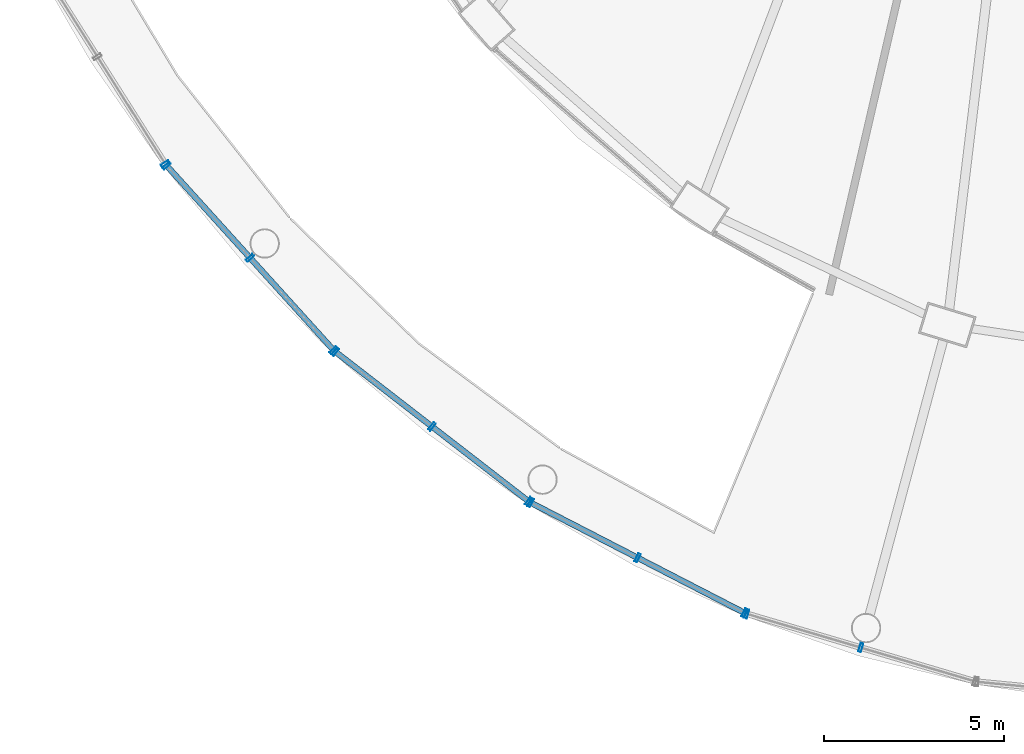
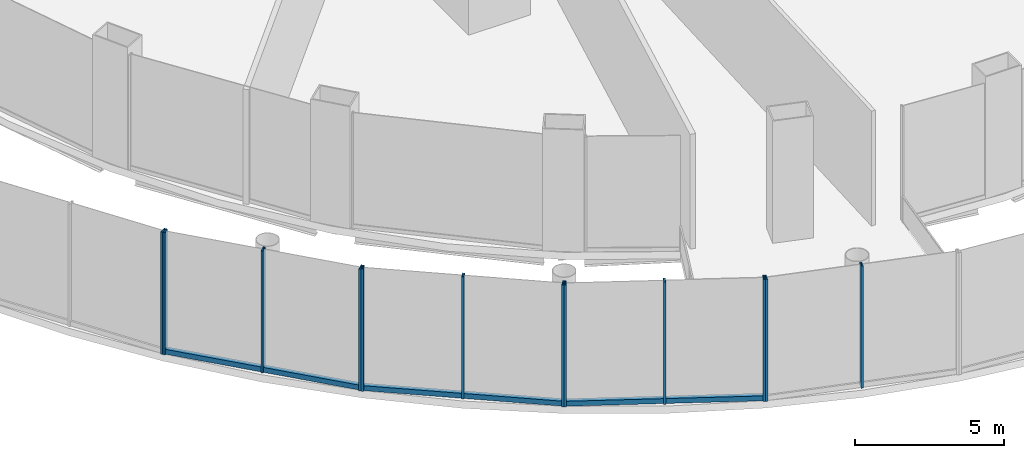
# One storey, part 3 of 47: 15 members, 5 elements without a shape of their own.
"""IFC4 building model written with IfcOpenShell, lengths in metres."""

from ifc_helpers import new_model, si_unit, direction, frame, origin, origin_2d, place, context, subcontext, project, spatial, hollow_rectangle, extrude, material, layer, layer_set, material_profile, profile_set, type_object, element, aggregate, save


model = new_model("IFC4")

# Units and contexts
model_context = context("Model", 3, precision=1e-05, world=origin(), true_north=direction((0.0, 1.0)))
body_context = subcontext(model_context, "Body", "Model", "MODEL_VIEW")
ifc_project = project(units=[si_unit("LENGTHUNIT", "METRE"), si_unit("AREAUNIT", "SQUARE_METRE"), si_unit("VOLUMEUNIT", "CUBIC_METRE"), si_unit("PLANEANGLEUNIT", "RADIAN"), si_unit("MASSUNIT", "GRAM", prefix="KILO")], contexts=[model_context])

# Site, building, storey
site_placement = place(None, origin())
site = spatial("IfcSite", under=ifc_project, at=site_placement, CompositionType="ELEMENT")
building_placement = place(site_placement, origin())
building = spatial("IfcBuilding", under=site, at=building_placement, Name="Nagisa Residences", CompositionType="ELEMENT")
storey_placement = place(building_placement, frame((0.0, 0.0, 17.0)))
storey = spatial("IfcBuildingStorey", under=building, at=storey_placement, Name="L03", CompositionType="ELEMENT", Elevation=17.0)

# Curtain wall, member
ifc_material_1 = material(Name="Stainless steel curtain wall system", Category="steel")
ifc_layer = layer(ifc_material_1, 0.159912109375)
ifc_layer_set = layer_set([ifc_layer], Name="CW3 CURTAIN WALL")
curtain_wall_type = type_object("IfcCurtainWallType", Name="CW3 CURTAIN WALL", PredefinedType="NOTDEFINED", material=ifc_layer_set)
curtain_wall_1_placement = place(storey_placement, origin())
curtain_wall_1 = element("IfcCurtainWall", 1, at=curtain_wall_1_placement, inside=storey, type_object=curtain_wall_type, Name="cw:CW3:L03:21", PredefinedType="NOTDEFINED")
ifc_material_2 = material(Name="Stainless steel", Category="steel")
ifc_material_profile_1 = material_profile(ifc_material_2, hollow_rectangle(XDim=0.25, YDim=0.080078125, WallThickness=0.008056640625, at=origin_2d()), Name="CW3 MULLION 250x80")
ifc_profile_set_1 = profile_set([ifc_material_profile_1], Name="Stainless steel")
member_type_1 = type_object("IfcMemberType", Name="CW3 MULLION 250x80", PredefinedType="MULLION", material=ifc_profile_set_1)
member_1_placement = place(storey_placement, frame((-25.463623046875, -26.92041015625, 0.0), z_axis=(0.0, 0.0, 1.0), x_axis=(0.844747368001, 0.535165286856, 0.0)))
member_1 = element("IfcMember", 2, at=member_1_placement, type_object=member_type_1, Name="CW3 mullion", PredefinedType="MULLION", context=body_context, shape_type="SweptSolid", body=[
    extrude(hollow_rectangle(XDim=0.25, YDim=0.080078125, WallThickness=0.008056640625, at=origin_2d()), origin(), (0.0, 0.0, 1.0), 5.0),
])
aggregate(curtain_wall_1, [member_1])

# Curtain wall, members
curtain_wall_2_placement = place(storey_placement, origin())
curtain_wall_2 = element("IfcCurtainWall", 3, at=curtain_wall_2_placement, inside=storey, type_object=curtain_wall_type, Name="cw:CW3:L03:22", PredefinedType="NOTDEFINED")
member_2_placement = place(storey_placement, frame((-25.423583984375, -26.97314453125, 0.0), z_axis=(0.0, 0.0, 1.0), x_axis=(0.741535779122, 0.670913323971, 0.0)))
member_2 = element("IfcMember", 4, at=member_2_placement, type_object=member_type_1, Name="CW3 mullion", PredefinedType="MULLION", context=body_context, shape_type="SweptSolid", body=[
    extrude(hollow_rectangle(XDim=0.25, YDim=0.080078125, WallThickness=0.008056640625, at=origin_2d()), origin(), (0.0, 0.0, 1.0), 5.0),
])
member_3_placement = place(storey_placement, frame((-23.1083984375, -29.53173828125, 0.0), z_axis=(0.0, 0.0, 1.0), x_axis=(0.741535779122, 0.670913323971, 0.0)))
member_3 = element("IfcMember", 5, at=member_3_placement, type_object=member_type_1, Name="CW3 mullion", PredefinedType="MULLION", context=body_context, shape_type="SweptSolid", body=[
    extrude(hollow_rectangle(XDim=0.25, YDim=0.080078125, WallThickness=0.008056640625, at=origin_2d()), origin(), (0.0, 0.0, 1.0), 5.0),
])
member_4_placement = place(storey_placement, frame((-20.79345703125, -32.090576171875, 0.0), z_axis=(0.0, 0.0, 1.0), x_axis=(0.741535779122, 0.670913323971, 0.0)))
member_4 = element("IfcMember", 6, at=member_4_placement, type_object=member_type_1, Name="CW3 mullion", PredefinedType="MULLION", context=body_context, shape_type="SweptSolid", body=[
    extrude(hollow_rectangle(XDim=0.25, YDim=0.080078125, WallThickness=0.008056640625, at=origin_2d()), origin(), (0.0, 0.0, 1.0), 5.0),
])

curtain_wall_3_placement = place(storey_placement, origin())
curtain_wall_3 = element("IfcCurtainWall", 7, at=curtain_wall_3_placement, inside=storey, type_object=curtain_wall_type, Name="cw:CW3:L03:23", PredefinedType="NOTDEFINED")
member_5_placement = place(storey_placement, frame((-20.745361328125, -32.135009765625, 0.0), z_axis=(0.0, 0.0, 1.0), x_axis=(0.612034757172, 0.790830864353, 0.0)))
member_5 = element("IfcMember", 8, at=member_5_placement, type_object=member_type_1, Name="CW3 mullion", PredefinedType="MULLION", context=body_context, shape_type="SweptSolid", body=[
    extrude(hollow_rectangle(XDim=0.25, YDim=0.080078125, WallThickness=0.008056640625, at=origin_2d()), origin(), (0.0, 0.0, 1.0), 5.0),
])
member_6_placement = place(storey_placement, frame((-18.06396484375, -34.210205078125, 0.0), z_axis=(0.0, 0.0, 1.0), x_axis=(0.612034757172, 0.790830864353, 0.0)))
member_6 = element("IfcMember", 9, at=member_6_placement, type_object=member_type_1, Name="CW3 mullion", PredefinedType="MULLION", context=body_context, shape_type="SweptSolid", body=[
    extrude(hollow_rectangle(XDim=0.25, YDim=0.080078125, WallThickness=0.008056640625, at=origin_2d()), origin(), (0.0, 0.0, 1.0), 5.0),
])
member_7_placement = place(storey_placement, frame((-15.382568359375, -36.285400390625, 0.0), z_axis=(0.0, 0.0, 1.0), x_axis=(0.612034757172, 0.790830864353, 0.0)))
member_7 = element("IfcMember", 10, at=member_7_placement, type_object=member_type_1, Name="CW3 mullion", PredefinedType="MULLION", context=body_context, shape_type="SweptSolid", body=[
    extrude(hollow_rectangle(XDim=0.25, YDim=0.080078125, WallThickness=0.008056640625, at=origin_2d()), origin(), (0.0, 0.0, 1.0), 5.0),
])

curtain_wall_4_placement = place(storey_placement, origin())
curtain_wall_4 = element("IfcCurtainWall", 11, at=curtain_wall_4_placement, inside=storey, type_object=curtain_wall_type, Name="cw:CW3:L03:24", PredefinedType="NOTDEFINED")
member_8_placement = place(storey_placement, frame((-15.327880859375, -36.3203125, 0.0), z_axis=(0.0, 0.0, 1.0), x_axis=(0.45812598783, 0.888887270285, 0.0)))
member_8 = element("IfcMember", 12, at=member_8_placement, type_object=member_type_1, Name="CW3 mullion", PredefinedType="MULLION", context=body_context, shape_type="SweptSolid", body=[
    extrude(hollow_rectangle(XDim=0.25, YDim=0.080078125, WallThickness=0.008056640625, at=origin_2d()), origin(), (0.0, 0.0, 1.0), 5.0),
])
member_9_placement = place(storey_placement, frame((-12.36181640625, -37.848876953125, 0.0), z_axis=(0.0, 0.0, 1.0), x_axis=(0.45812598783, 0.888887270285, 0.0)))
member_9 = element("IfcMember", 13, at=member_9_placement, type_object=member_type_1, Name="CW3 mullion", PredefinedType="MULLION", context=body_context, shape_type="SweptSolid", body=[
    extrude(hollow_rectangle(XDim=0.25, YDim=0.080078125, WallThickness=0.008056640625, at=origin_2d()), origin(), (0.0, 0.0, 1.0), 5.0),
])
member_10_placement = place(storey_placement, frame((-9.395751953125, -39.377685546875, 0.0), z_axis=(0.0, 0.0, 1.0), x_axis=(0.45812598783, 0.888887270285, 0.0)))
member_10 = element("IfcMember", 14, at=member_10_placement, type_object=member_type_1, Name="CW3 mullion", PredefinedType="MULLION", context=body_context, shape_type="SweptSolid", body=[
    extrude(hollow_rectangle(XDim=0.25, YDim=0.080078125, WallThickness=0.008056640625, at=origin_2d()), origin(), (0.0, 0.0, 1.0), 5.0),
])

curtain_wall_5_placement = place(storey_placement, origin())
curtain_wall_5 = element("IfcCurtainWall", 15, at=curtain_wall_5_placement, inside=storey, type_object=curtain_wall_type, Name="cw:CW3:L03:25", PredefinedType="NOTDEFINED")
member_11_placement = place(storey_placement, frame((-9.335693359375, -39.40185546875, 0.0), z_axis=(0.0, 0.0, 1.0), x_axis=(0.283963226669, 0.958835171393, 0.0)))
member_11 = element("IfcMember", 16, at=member_11_placement, type_object=member_type_1, Name="CW3 mullion", PredefinedType="MULLION", context=body_context, shape_type="SweptSolid", body=[
    extrude(hollow_rectangle(XDim=0.25, YDim=0.080078125, WallThickness=0.008056640625, at=origin_2d()), origin(), (0.0, 0.0, 1.0), 5.0),
])
member_12_placement = place(storey_placement, frame((-6.175048828125, -40.337890625, 0.0), z_axis=(0.0, 0.0, 1.0), x_axis=(0.283963226669, 0.958835171393, 0.0)))
member_12 = element("IfcMember", 17, at=member_12_placement, type_object=member_type_1, Name="CW3 mullion", PredefinedType="MULLION", context=body_context, shape_type="SweptSolid", body=[
    extrude(hollow_rectangle(XDim=0.25, YDim=0.080078125, WallThickness=0.008056640625, at=origin_2d()), origin(), (0.0, 0.0, 1.0), 5.0),
])
aggregate(curtain_wall_5, [member_11, member_12])

# Member
ifc_material_3 = material(Name="Stainless steel", Category="steel")
ifc_material_profile_2 = material_profile(ifc_material_3, hollow_rectangle(XDim=0.159912109375, YDim=0.199951171875, WallThickness=0.008056640625, at=origin_2d()), Name="CW3 TRANSOM 160x200")
ifc_profile_set_2 = profile_set([ifc_material_profile_2], Name="Stainless steel")
member_type_2 = type_object("IfcMemberType", Name="CW3 TRANSOM 160x200", PredefinedType="USERDEFINED", material=ifc_profile_set_2)
member_13_placement = place(storey_placement, frame((-25.450439453125, -26.943359375, 0.10009765625), z_axis=(0.670921565259, -0.741528322635, 0.0), x_axis=(0.741528322635, 0.670921565259, 0.0)))
member_13 = element("IfcMember", 18, at=member_13_placement, type_object=member_type_2, Name="CW3 transom", ObjectType="TRANSOM", PredefinedType="USERDEFINED", context=body_context, shape_type="SweptSolid", body=[
    extrude(hollow_rectangle(XDim=0.159912109375, YDim=0.199951171875, WallThickness=0.008056640625, at=origin_2d()), origin(), (0.0, 0.0, 1.0), 6.981201171875),
])

aggregate(curtain_wall_2, [member_2, member_3, member_4, member_13])

member_14_placement = place(storey_placement, frame((-20.77685546875, -32.110595703125, 0.10009765625), z_axis=(0.790821490188, -0.612046869656, 0.0), x_axis=(0.612046869656, 0.790821490188, 0.0)))
member_14 = element("IfcMember", 19, at=member_14_placement, type_object=member_type_2, Name="CW3 transom", ObjectType="TRANSOM", PredefinedType="USERDEFINED", context=body_context, shape_type="SweptSolid", body=[
    extrude(hollow_rectangle(XDim=0.159912109375, YDim=0.199951171875, WallThickness=0.008056640625, at=origin_2d()), origin(), (0.0, 0.0, 1.0), 6.86083984375),
])

aggregate(curtain_wall_3, [member_5, member_6, member_7, member_14])

member_15_placement = place(storey_placement, frame((-15.36328125, -36.302001953125, 0.10009765625), z_axis=(0.888887130152, -0.458126259726, 0.0), x_axis=(0.458126259726, 0.888887130152, 0.0)))
member_15 = element("IfcMember", 20, at=member_15_placement, type_object=member_type_2, Name="CW3 transom", ObjectType="TRANSOM", PredefinedType="USERDEFINED", context=body_context, shape_type="SweptSolid", body=[
    extrude(hollow_rectangle(XDim=0.159912109375, YDim=0.199951171875, WallThickness=0.008056640625, at=origin_2d()), origin(), (0.0, 0.0, 1.0), 6.753662109375),
])

aggregate(curtain_wall_4, [member_8, member_9, member_10, member_15])

save(model, "model.ifc")
